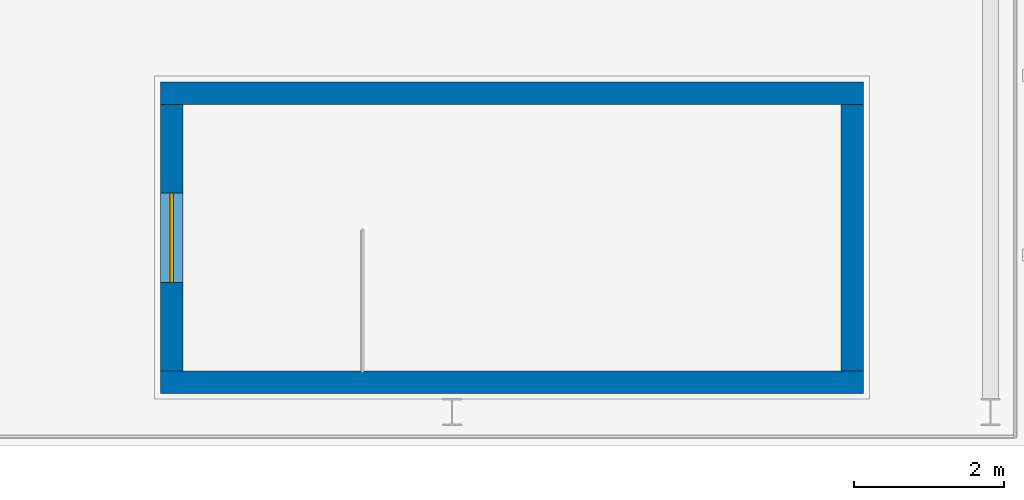
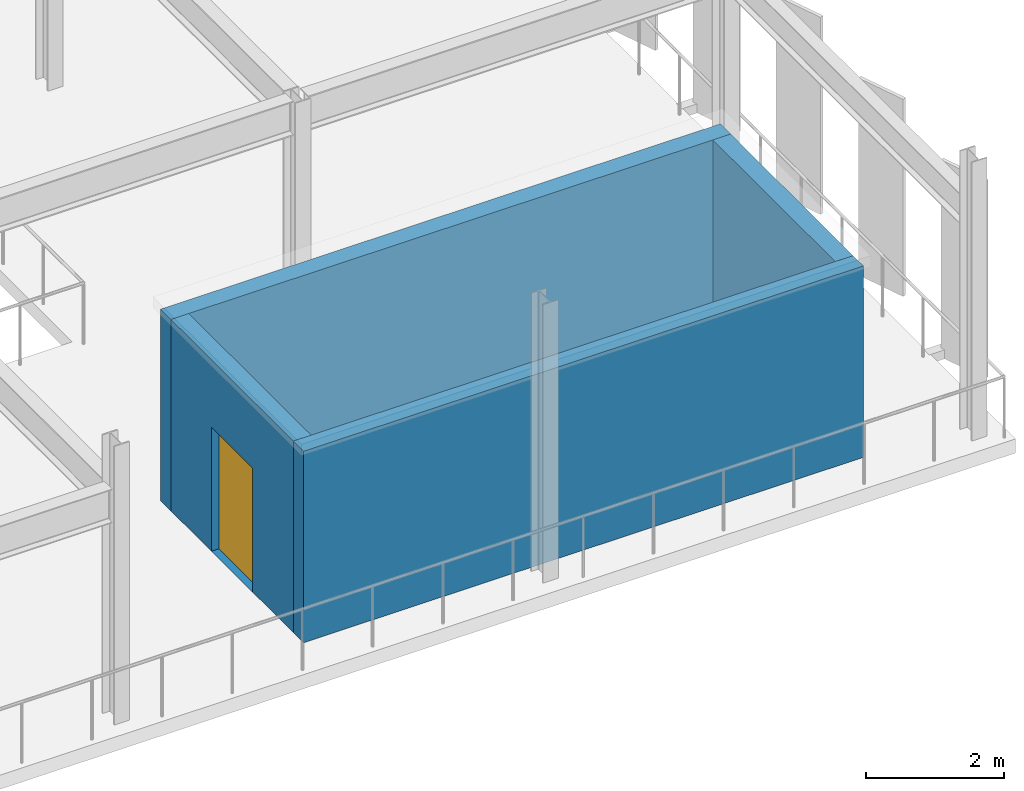
# One storey, part 29 of 40: 4 walls, 1 door, 1 opening.
"""IFC4 building model written with IfcOpenShell, lengths in metres."""

from ifc_helpers import new_model, si_unit, direction, frame, frame_2d, origin, place, context, subcontext, project, spatial, rectangle, extrude, material, layer, layer_set, type_object, element, fill, save


model = new_model("IFC4")

# Units and contexts
model_context = context("Model", 3, precision=1e-05, world=origin(), true_north=direction((0.0, 1.0)))
body_context = subcontext(model_context, "Body", "Model", "MODEL_VIEW")
ifc_project = project(units=[si_unit("LENGTHUNIT", "METRE"), si_unit("AREAUNIT", "SQUARE_METRE"), si_unit("VOLUMEUNIT", "CUBIC_METRE"), si_unit("PLANEANGLEUNIT", "RADIAN"), si_unit("MASSUNIT", "GRAM", prefix="KILO")], contexts=[model_context])

# Site, building, storey
site_placement = place(None, origin())
site = spatial("IfcSite", under=ifc_project, at=site_placement, CompositionType="ELEMENT")
building_placement = place(site_placement, origin())
building = spatial("IfcBuilding", under=site, at=building_placement, Name="Vaelcorin Mobility Hub", CompositionType="ELEMENT")
storey_placement = place(building_placement, frame((0.0, 0.0, 17.10009765625)))
storey = spatial("IfcBuildingStorey", under=building, at=storey_placement, Name="L04", CompositionType="ELEMENT", Elevation=17.10009765625)

# Walls
ifc_material_1 = material(Name="Reinforced concrete f'c 45 MPa", Category="concrete")
ifc_layer = layer(ifc_material_1, 0.300048828125)
ifc_layer_set = layer_set([ifc_layer], Name="Reinforced concrete f'c 45 MPa")
wall_type = type_object("IfcWallType", Name="WL-CORE-300", PredefinedType="SOLIDWALL", material=ifc_layer_set)
for number, where, z_axis, x_axis, name in (
    (1, (150.699951171875, 77.199951171875, 0.0), (0.0, 0.0, 1.0), (-1.0, 0.0, 0.0), "ST2 Fire Core Wall L04 South"),
    (2, (141.300048828125, 81.06005859375, 0.0), (0.0, 0.0, 1.0), (1.0, 0.0, 0.0), "ST2 Fire Core Wall L04 North"),
):
    element("IfcWall", number, at=place(storey_placement, frame(where, z_axis=z_axis, x_axis=x_axis)), inside=storey, type_object=wall_type, Name=name, PredefinedType="SOLIDWALL", context=body_context, shape_type="SweptSolid", body=[
        extrude(rectangle(XDim=9.39990234375, YDim=0.300048828125, at=frame_2d((4.699951171875, 0.0))), origin(), (0.0, 0.0, 1.0), 3.39990234375),
    ])

# Wall, opening, door
wall_1_placement = place(storey_placement, frame((141.449951171875, 77.35009765625, 0.0), z_axis=(0.0, 0.0, 1.0), x_axis=(0.0, 1.0, 0.0)))
wall_1 = element("IfcWall", 3, at=wall_1_placement, inside=storey, type_object=wall_type, Name="ST2 Fire Core Wall L04 West", PredefinedType="SOLIDWALL", context=body_context, shape_type="SweptSolid", body=[
    extrude(rectangle(XDim=3.559814453125, YDim=0.300048828125, at=frame_2d((1.77978515625, 0.0))), origin(), (0.0, 0.0, 1.0), 3.39990234375),
])
opening_placement = place(wall_1_placement, frame((1.179931640625, 0.0, 0.0)))
opening = element("IfcOpeningElement", 4, at=opening_placement, cuts=wall_1, Name="Opening SD01", PredefinedType="OPENING", context=body_context, shape_type="SweptSolid", body=[
    extrude(rectangle(XDim=1.199951171875, YDim=2.199951171875, at=frame_2d((0.60009765625, 1.10009765625))), frame((0.0, 0.159912109375, 0.0), z_axis=(0.0, -1.0, 0.0), x_axis=(1.0, 0.0, 0.0)), (0.0, 0.0, 1.0), 0.320068359375),
])
ifc_material_2 = material(Name="Hollow-metal insulated steel fire door", Category="steel")
door_type = type_object("IfcDoorType", Name="DR-STAIR-90", OperationType="NOTDEFINED", PredefinedType="DOOR", material=ifc_material_2)
door_placement = place(opening_placement, origin())
door = element("IfcDoor", 5, at=door_placement, inside=storey, type_object=door_type, Name="ST2 Protected Stair Door L04", OperationType="SINGLE_SWING_RIGHT", OverallHeight=2.199951171875, OverallWidth=1.199951171875, PredefinedType="DOOR", context=body_context, shape_type="SweptSolid", body=[
    extrude(rectangle(XDim=1.199951171875, YDim=2.199951171875, at=frame_2d((0.60009765625, 1.10009765625))), frame((0.0, 0.02490234375, 0.0), z_axis=(0.0, -1.0, 0.0), x_axis=(1.0, 0.0, 0.0)), (0.0, 0.0, 1.0), 0.050048828125),
])
fill(opening, door)

# Wall
wall_2_placement = place(storey_placement, frame((150.550048828125, 80.909912109375, 0.0), z_axis=(0.0, 0.0, 1.0), x_axis=(0.0, -1.0, 0.0)))
element("IfcWall", 6, at=wall_2_placement, inside=storey, type_object=wall_type, Name="ST2 Fire Core Wall L04 East", PredefinedType="SOLIDWALL", context=body_context, shape_type="SweptSolid", body=[
    extrude(rectangle(XDim=3.559814453125, YDim=0.300048828125, at=frame_2d((1.77978515625, 0.0))), origin(), (0.0, 0.0, 1.0), 3.39990234375),
])

save(model, "model.ifc")
